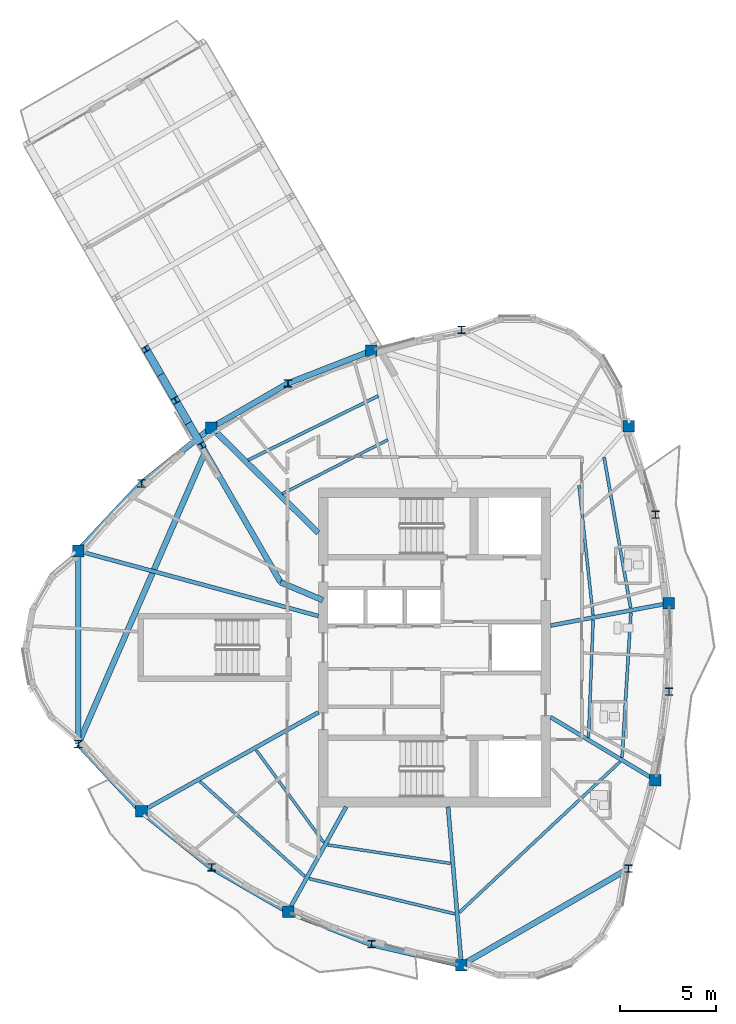
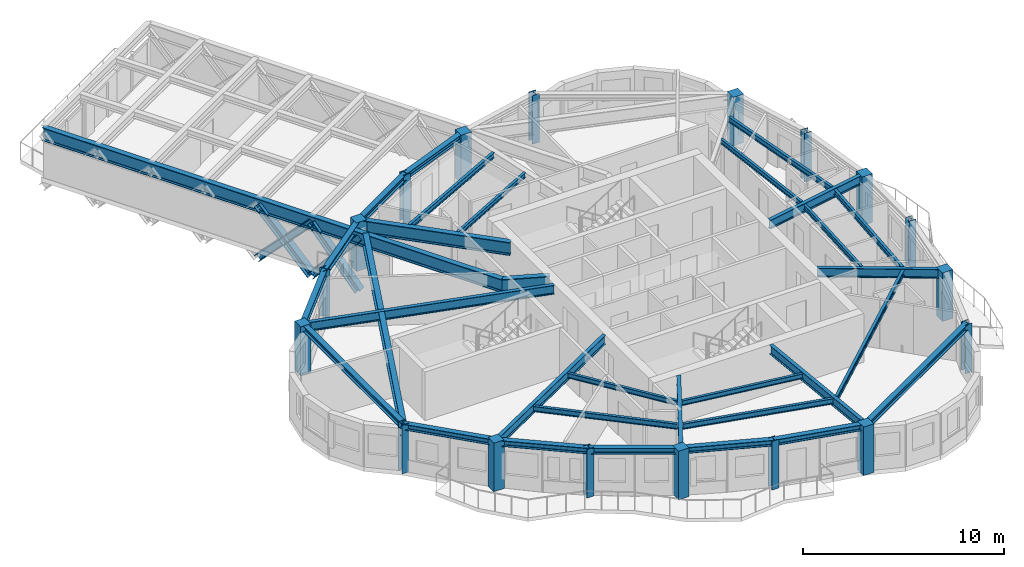
# One storey, part 1 of 14: 32 beams, 18 columns, 4 members.
"""IFC4 building model written with IfcOpenShell, lengths in metres."""

from ifc_helpers import new_model, si_unit, direction, frame, origin, origin_2d, place, context, subcontext, project, spatial, rectangle, i_section, extrude, source, transform, mapped, material, material_profile, profile_set, type_object, element, save


model = new_model("IFC4")

# Units and contexts
model_context = context("Model", 3, precision=1e-05, world=origin(), true_north=direction((0.0, 1.0)))
body_context = subcontext(model_context, "Body", "Model", "MODEL_VIEW")
ifc_project = project(units=[si_unit("LENGTHUNIT", "METRE"), si_unit("AREAUNIT", "SQUARE_METRE"), si_unit("VOLUMEUNIT", "CUBIC_METRE"), si_unit("PLANEANGLEUNIT", "RADIAN"), si_unit("MASSUNIT", "GRAM", prefix="KILO")], contexts=[model_context])

# Site, building, storey
site_placement = place(None, origin())
site = spatial("IfcSite", under=ifc_project, at=site_placement, CompositionType="ELEMENT")
building_placement = place(site_placement, origin())
building = spatial("IfcBuilding", under=site, at=building_placement, Name="Qafzar Sky-Pleat Residences", CompositionType="ELEMENT")
storey_placement = place(building_placement, frame((0.0, 0.0, 211.60009765625)))
storey = spatial("IfcBuildingStorey", under=building, at=storey_placement, Name="L63", CompositionType="ELEMENT", Elevation=211.60009765625)

# Columns
ifc_material_1 = material(Name="Concrete C50/60", Category="concrete")
ifc_material_profile_1 = material_profile(ifc_material_1, rectangle(XDim=0.60009765625, YDim=0.60009765625, at=origin_2d()), Name="RC 600x600")
ifc_profile_set_1 = profile_set([ifc_material_profile_1], Name="Concrete C50/60")
column_type_1 = type_object("IfcColumnType", Name="COL-RC-600", PredefinedType="COLUMN", material=ifc_profile_set_1)
shared_shape_1 = source(origin(), body_context, "Body", "SweptSolid", [
    extrude(rectangle(XDim=0.60009765625, YDim=0.60009765625, at=origin_2d()), origin(), (0.0, 0.0, 1.0), 2.9599609375),
])
for number, where, z_axis, x_axis, name in (
    (1, (11.794921875, 31.02294921875, 0.0), (0.0, 0.0, 1.0), (1.0, 0.0, 0.0), "L63 Perimeter Mega Column 1"),
    (2, (15.0859375, 17.458984375, 0.0), (0.0, 0.0, 1.0), (1.0, 0.0, 0.0), "L63 Perimeter Mega Column 3"),
    (3, (22.71875, 12.243408203125, 0.0), (0.0, 0.0, 1.0), (1.0, 0.0, 0.0), "L63 Perimeter Mega Column 5"),
    (4, (31.75244140625, 9.45458984375, 0.0), (0.0, 0.0, 1.0), (1.0, 0.0, 0.0), "L63 Perimeter Mega Column 7"),
    (5, (41.853515625, 19.08642578125, 0.0), (0.0, 0.0, 1.0), (1.0, 0.0, 0.0), "L63 Perimeter Mega Column 9"),
    (6, (42.55419921875, 28.304443359375, 0.0), (0.0, 0.0, 1.0), (1.0, 0.0, 0.0), "L63 Perimeter Mega Column 11"),
    (7, (40.452392578125, 37.5224609375, 0.0), (0.0, 0.0, 1.0), (1.0, 0.0, 0.0), "L63 Perimeter Mega Column 13"),
    (8, (27.060302734375, 41.454345703125, 0.0), (0.0, 0.0, 1.0), (1.0, 0.0, 0.0), "L63 Perimeter Mega Column 15"),
    (9, (18.727294921875, 37.4521484375, 0.0), (0.0, 0.0, 1.0), (1.0, 0.0, 0.0), "L63 Perimeter Mega Column 17"),
):
    element("IfcColumn", number, at=place(storey_placement, frame(where, z_axis=z_axis, x_axis=x_axis)), inside=storey, type_object=column_type_1, Name=name, PredefinedType="COLUMN", context=body_context, shape_type="MappedRepresentation", body=[
        mapped(shared_shape_1, transform((0.0, 0.0, 0.0), x_axis=(1.0, 0.0, 0.0), y_axis=(0.0, 1.0, 0.0), z_axis=(0.0, 0.0, 1.0), scale=1.0)),
    ])
ifc_material_2 = material(Name="Steel S355", Category="steel")
ifc_material_profile_2 = material_profile(ifc_material_2, i_section(OverallWidth=0.39794921875, OverallDepth=0.386962890625, WebThickness=0.01904296875, FlangeThickness=0.030029296875, FilletRadius=0.014892578125, at=origin_2d()), Name="HD 400x262")
ifc_profile_set_2 = profile_set([ifc_material_profile_2], Name="Steel S355")
column_type_2 = type_object("IfcColumnType", Name="COL-STL-HD262", PredefinedType="PILASTER", material=ifc_profile_set_2)
shared_shape_2 = source(origin(), body_context, "Body", "SweptSolid", [
    extrude(i_section(OverallWidth=0.39794921875, OverallDepth=0.386962890625, WebThickness=0.01904296875, FlangeThickness=0.030029296875, FilletRadius=0.014892578125, at=origin_2d()), origin(), (0.0, 0.0, 1.0), 2.9599609375),
])
for number, where, z_axis, x_axis, name in (
    (10, (11.794921875, 20.97705078125, 0.0), (0.0, 0.0, 1.0), (1.0, 0.0, 0.0), "L63 Perimeter Mega Column 2"),
    (11, (18.727294921875, 14.5478515625, 0.0), (0.0, 0.0, 1.0), (1.0, 0.0, 0.0), "L63 Perimeter Mega Column 4"),
    (12, (27.060302734375, 10.545654296875, 0.0), (0.0, 0.0, 1.0), (1.0, 0.0, 0.0), "L63 Perimeter Mega Column 6"),
    (13, (40.452392578125, 14.4775390625, 0.0), (0.0, 0.0, 1.0), (1.0, 0.0, 0.0), "L63 Perimeter Mega Column 8"),
    (14, (42.55419921875, 23.695556640625, 0.0), (0.0, 0.0, 1.0), (1.0, 0.0, 0.0), "L63 Perimeter Mega Column 10"),
    (15, (41.853515625, 32.91357421875, 0.0), (0.0, 0.0, 1.0), (1.0, 0.0, 0.0), "L63 Perimeter Mega Column 12"),
    (16, (31.75244140625, 42.54541015625, 0.0), (0.0, 0.0, 1.0), (1.0, 0.0, 0.0), "L63 Perimeter Mega Column 14"),
    (17, (22.71875, 39.756591796875, 0.0), (0.0, 0.0, 1.0), (1.0, 0.0, 0.0), "L63 Perimeter Mega Column 16"),
    (18, (15.0859375, 34.541015625, 0.0), (0.0, 0.0, 1.0), (1.0, 0.0, 0.0), "L63 Perimeter Mega Column 18"),
):
    element("IfcColumn", number, at=place(storey_placement, frame(where, z_axis=z_axis, x_axis=x_axis)), inside=storey, type_object=column_type_2, Name=name, PredefinedType="PILASTER", context=body_context, shape_type="MappedRepresentation", body=[
        mapped(shared_shape_2, transform((0.0, 0.0, 0.0), x_axis=(1.0, 0.0, 0.0), y_axis=(0.0, 1.0, 0.0), z_axis=(0.0, 0.0, 1.0), scale=1.0)),
    ])

# Beams
ifc_material_profile_3 = material_profile(ifc_material_2, i_section(OverallWidth=0.300048828125, OverallDepth=0.360107421875, WebThickness=0.012451171875, FlangeThickness=0.0224609375, FilletRadius=0.027099609375, at=origin_2d()), Name="HEB 360")
ifc_profile_set_3 = profile_set([ifc_material_profile_3], Name="Steel S355")
beam_type_1 = type_object("IfcBeamType", Name="BM-SPAN-HEB360", PredefinedType="SPANDREL", material=ifc_profile_set_3)
shared_shape_3 = source(origin(), body_context, "Body", "SweptSolid", [
    extrude(i_section(OverallWidth=0.300048828125, OverallDepth=0.360107421875, WebThickness=0.012451171875, FlangeThickness=0.0224609375, FilletRadius=0.027099609375, at=origin_2d()), origin(), (0.0, 0.0, 1.0), 10.0458984375),
])
for number, where, z_axis, x_axis, name in (
    (19, (11.794921875, 31.02294921875, 2.77783203125), (0.0, -1.0, 0.0), (1.0, 0.0, 0.0), "L63 Perimeter Spandrel Beam 1"),
    (20, (31.75244140625, 9.45458984375, 2.77783203125), (0.866024107753, 0.500002244785, 0.0), (-0.500002244785, 0.866024107753, 0.0), "L63 Perimeter Spandrel Beam 7"),
):
    element("IfcBeam", number, at=place(storey_placement, frame(where, z_axis=z_axis, x_axis=x_axis)), inside=storey, type_object=beam_type_1, Name=name, PredefinedType="SPANDREL", context=body_context, shape_type="MappedRepresentation", body=[
        mapped(shared_shape_3, transform((0.0, 0.0, 0.0), x_axis=(1.0, 0.0, 0.0), y_axis=(0.0, 1.0, 0.0), z_axis=(0.0, 0.0, 1.0), scale=1.0)),
    ])
shared_shape_4 = source(origin(), body_context, "Body", "SweptSolid", [
    extrude(i_section(OverallWidth=0.300048828125, OverallDepth=0.360107421875, WebThickness=0.012451171875, FlangeThickness=0.0224609375, FilletRadius=0.027099609375, at=origin_2d()), origin(), (0.0, 0.0, 1.0), 4.8173828125),
])
for number, where, z_axis, x_axis, name in (
    (21, (11.794921875, 20.97705078125, 2.77783203125), (0.683148410422, -0.730279569301, 0.0), (0.730279569301, 0.683148410422, 0.0), "L63 Perimeter Spandrel Beam 2"),
    (22, (27.060302734375, 10.545654296875, 2.77783203125), (0.974014007378, -0.226487777666, 0.0), (0.226487777666, 0.974014007378, 0.0), "L63 Perimeter Spandrel Beam 6"),
    (23, (15.0859375, 34.541015625, 2.77783203125), (-0.683148410422, -0.730279569301, 0.0), (0.730279569301, -0.683148410422, 0.0), "L63 Perimeter Spandrel Beam 18"),
):
    element("IfcBeam", number, at=place(storey_placement, frame(where, z_axis=z_axis, x_axis=x_axis)), inside=storey, type_object=beam_type_1, Name=name, PredefinedType="SPANDREL", context=body_context, shape_type="MappedRepresentation", body=[
        mapped(shared_shape_4, transform((0.0, 0.0, 0.0), x_axis=(1.0, 0.0, 0.0), y_axis=(0.0, 1.0, 0.0), z_axis=(0.0, 0.0, 1.0), scale=1.0)),
    ])
shared_shape_5 = source(origin(), body_context, "Body", "SweptSolid", [
    extrude(i_section(OverallWidth=0.300048828125, OverallDepth=0.360107421875, WebThickness=0.012451171875, FlangeThickness=0.0224609375, FilletRadius=0.027099609375, at=origin_2d()), origin(), (0.0, 0.0, 1.0), 4.662109375),
])
for number, where, z_axis, x_axis, name in (
    (24, (15.0859375, 17.458984375, 2.77783203125), (0.781073131739, -0.624439559025, 0.0), (0.624439559025, 0.781073131739, 0.0), "L63 Perimeter Spandrel Beam 3"),
    (25, (18.727294921875, 37.4521484375, 2.77783203125), (-0.781073131739, -0.624439559025, 0.0), (0.624439559025, -0.781073131739, 0.0), "L63 Perimeter Spandrel Beam 17"),
):
    element("IfcBeam", number, at=place(storey_placement, frame(where, z_axis=z_axis, x_axis=x_axis)), inside=storey, type_object=beam_type_1, Name=name, PredefinedType="SPANDREL", context=body_context, shape_type="MappedRepresentation", body=[
        mapped(shared_shape_5, transform((0.0, 0.0, 0.0), x_axis=(1.0, 0.0, 0.0), y_axis=(0.0, 1.0, 0.0), z_axis=(0.0, 0.0, 1.0), scale=1.0)),
    ])
shared_shape_6 = source(origin(), body_context, "Body", "SweptSolid", [
    extrude(i_section(OverallWidth=0.300048828125, OverallDepth=0.360107421875, WebThickness=0.012451171875, FlangeThickness=0.0224609375, FilletRadius=0.027099609375, at=origin_2d()), origin(), (0.0, 0.0, 1.0), 4.60888671875),
])
for number, where, z_axis, x_axis, name in (
    (26, (18.727294921875, 14.5478515625, 2.77783203125), (0.8660276872, -0.499996044987, 0.0), (0.499996044987, 0.8660276872, 0.0), "L63 Perimeter Spandrel Beam 4"),
    (27, (22.71875, 39.756591796875, 2.77783203125), (-0.8660276872, -0.499996044987, 0.0), (0.499996044987, -0.8660276872, 0.0), "L63 Perimeter Spandrel Beam 16"),
):
    element("IfcBeam", number, at=place(storey_placement, frame(where, z_axis=z_axis, x_axis=x_axis)), inside=storey, type_object=beam_type_1, Name=name, PredefinedType="SPANDREL", context=body_context, shape_type="MappedRepresentation", body=[
        mapped(shared_shape_6, transform((0.0, 0.0, 0.0), x_axis=(1.0, 0.0, 0.0), y_axis=(0.0, 1.0, 0.0), z_axis=(0.0, 0.0, 1.0), scale=1.0)),
    ])
shared_shape_7 = source(origin(), body_context, "Body", "SweptSolid", [
    extrude(i_section(OverallWidth=0.300048828125, OverallDepth=0.360107421875, WebThickness=0.012451171875, FlangeThickness=0.0224609375, FilletRadius=0.027099609375, at=origin_2d()), origin(), (0.0, 0.0, 1.0), 4.66162109375),
])
for number, where, z_axis, x_axis, name in (
    (28, (22.71875, 12.243408203125, 2.77783203125), (0.931323889652, -0.364191999586, 0.0), (0.364191999586, 0.931323889652, 0.0), "L63 Perimeter Spandrel Beam 5"),
    (29, (27.060302734375, 41.454345703125, 2.77783203125), (-0.931323889652, -0.364191999586, 0.0), (0.364191999586, -0.931323889652, 0.0), "L63 Perimeter Spandrel Beam 15"),
):
    element("IfcBeam", number, at=place(storey_placement, frame(where, z_axis=z_axis, x_axis=x_axis)), inside=storey, type_object=beam_type_1, Name=name, PredefinedType="SPANDREL", context=body_context, shape_type="MappedRepresentation", body=[
        mapped(shared_shape_7, transform((0.0, 0.0, 0.0), x_axis=(1.0, 0.0, 0.0), y_axis=(0.0, 1.0, 0.0), z_axis=(0.0, 0.0, 1.0), scale=1.0)),
    ])
ifc_material_profile_4 = material_profile(ifc_material_2, i_section(OverallWidth=0.2099609375, OverallDepth=0.550048828125, WebThickness=0.010986328125, FlangeThickness=0.01708984375, FilletRadius=0.02392578125, at=origin_2d()), Name="IPE 550")
ifc_profile_set_4 = profile_set([ifc_material_profile_4], Name="Steel S355")
beam_type_2 = type_object("IfcBeamType", Name="BM-SEC-IPE550", PredefinedType="BEAM", material=ifc_profile_set_4)
shared_shape_8 = source(origin(), body_context, "Body", "SweptSolid", [
    extrude(i_section(OverallWidth=0.2099609375, OverallDepth=0.550048828125, WebThickness=0.010986328125, FlangeThickness=0.01708984375, FilletRadius=0.02392578125, at=origin_2d()), origin(), (0.0, 0.0, 1.0), 12.955322265625),
])
beam_1_placement = place(storey_placement, frame((11.794921875, 31.02294921875, 2.682861328125), z_axis=(0.96525657986, -0.261303913167, 0.0), x_axis=(0.261303913167, 0.96525657986, 0.0)))
element("IfcBeam", 30, at=beam_1_placement, inside=storey, type_object=beam_type_2, Name="L63 Radial Floor Girder 1", PredefinedType="BEAM", context=body_context, shape_type="MappedRepresentation", body=[
    mapped(shared_shape_8, transform((0.0, 0.0, 0.0), x_axis=(1.0, 0.0, 0.0), y_axis=(0.0, 1.0, 0.0), z_axis=(0.0, 0.0, 1.0), scale=1.0)),
])
shared_shape_9 = source(origin(), body_context, "Body", "SweptSolid", [
    extrude(i_section(OverallWidth=0.2099609375, OverallDepth=0.550048828125, WebThickness=0.010986328125, FlangeThickness=0.01708984375, FilletRadius=0.02392578125, at=origin_2d()), origin(), (0.0, 0.0, 1.0), 10.55859375),
])
beam_2_placement = place(storey_placement, frame((15.0859375, 17.458984375, 2.682861328125), z_axis=(0.872673146655, 0.488304801438, 0.0), x_axis=(-0.488304801438, 0.872673146655, 0.0)))
element("IfcBeam", 31, at=beam_2_placement, inside=storey, type_object=beam_type_2, Name="L63 Radial Floor Girder 3", PredefinedType="BEAM", context=body_context, shape_type="MappedRepresentation", body=[
    mapped(shared_shape_9, transform((0.0, 0.0, 0.0), x_axis=(1.0, 0.0, 0.0), y_axis=(0.0, 1.0, 0.0), z_axis=(0.0, 0.0, 1.0), scale=1.0)),
])
shared_shape_10 = source(origin(), body_context, "Body", "SweptSolid", [
    extrude(i_section(OverallWidth=0.2099609375, OverallDepth=0.550048828125, WebThickness=0.010986328125, FlangeThickness=0.01708984375, FilletRadius=0.02392578125, at=origin_2d()), origin(), (0.0, 0.0, 1.0), 6.23974609375),
])
beam_3_placement = place(storey_placement, frame((22.71875, 12.243408203125, 2.682861328125), z_axis=(0.48508473236, 0.874467153432, 0.0), x_axis=(-0.874467153432, 0.48508473236, 0.0)))
element("IfcBeam", 32, at=beam_3_placement, inside=storey, type_object=beam_type_2, Name="L63 Radial Floor Girder 5", PredefinedType="BEAM", context=body_context, shape_type="MappedRepresentation", body=[
    mapped(shared_shape_10, transform((0.0, 0.0, 0.0), x_axis=(1.0, 0.0, 0.0), y_axis=(0.0, 1.0, 0.0), z_axis=(0.0, 0.0, 1.0), scale=1.0)),
])
shared_shape_11 = source(origin(), body_context, "Body", "SweptSolid", [
    extrude(i_section(OverallWidth=0.2099609375, OverallDepth=0.550048828125, WebThickness=0.010986328125, FlangeThickness=0.01708984375, FilletRadius=0.02392578125, at=origin_2d()), origin(), (0.0, 0.0, 1.0), 8.27490234375),
])
beam_4_placement = place(storey_placement, frame((31.75244140625, 9.45458984375, 2.682861328125), z_axis=(-0.084439601207, 0.996428599423, 0.0), x_axis=(-0.996428599423, -0.084439601207, 0.0)))
element("IfcBeam", 33, at=beam_4_placement, inside=storey, type_object=beam_type_2, Name="L63 Radial Floor Girder 7", PredefinedType="BEAM", context=body_context, shape_type="MappedRepresentation", body=[
    mapped(shared_shape_11, transform((0.0, 0.0, 0.0), x_axis=(1.0, 0.0, 0.0), y_axis=(0.0, 1.0, 0.0), z_axis=(0.0, 0.0, 1.0), scale=1.0)),
])
shared_shape_12 = source(origin(), body_context, "Body", "SweptSolid", [
    extrude(i_section(OverallWidth=0.2099609375, OverallDepth=0.550048828125, WebThickness=0.010986328125, FlangeThickness=0.01708984375, FilletRadius=0.02392578125, at=origin_2d()), origin(), (0.0, 0.0, 1.0), 6.36279296875),
])
beam_5_placement = place(storey_placement, frame((41.853515625, 19.08642578125, 2.682861328125), z_axis=(-0.857116893235, 0.515121957726, 0.0), x_axis=(-0.515121957726, -0.857116893235, 0.0)))
element("IfcBeam", 34, at=beam_5_placement, inside=storey, type_object=beam_type_2, Name="L63 Radial Floor Girder 9", PredefinedType="BEAM", context=body_context, shape_type="MappedRepresentation", body=[
    mapped(shared_shape_12, transform((0.0, 0.0, 0.0), x_axis=(1.0, 0.0, 0.0), y_axis=(0.0, 1.0, 0.0), z_axis=(0.0, 0.0, 1.0), scale=1.0)),
])
shared_shape_13 = source(origin(), body_context, "Body", "SweptSolid", [
    extrude(i_section(OverallWidth=0.2099609375, OverallDepth=0.550048828125, WebThickness=0.010986328125, FlangeThickness=0.01708984375, FilletRadius=0.02392578125, at=origin_2d()), origin(), (0.0, 0.0, 1.0), 6.262939453125),
])
beam_6_placement = place(storey_placement, frame((42.55419921875, 28.304443359375, 2.682861328125), z_axis=(-0.982634843159, -0.185549898978, 0.0), x_axis=(0.185549898978, -0.982634843159, 0.0)))
element("IfcBeam", 35, at=beam_6_placement, inside=storey, type_object=beam_type_2, Name="L63 Radial Floor Girder 11", PredefinedType="BEAM", context=body_context, shape_type="MappedRepresentation", body=[
    mapped(shared_shape_13, transform((0.0, 0.0, 0.0), x_axis=(1.0, 0.0, 0.0), y_axis=(0.0, 1.0, 0.0), z_axis=(0.0, 0.0, 1.0), scale=1.0)),
])
ifc_material_3 = material(Name="Steel S460", Category="steel")
ifc_material_profile_5 = material_profile(ifc_material_3, i_section(OverallWidth=0.300048828125, OverallDepth=0.800048828125, WebThickness=0.017578125, FlangeThickness=0.032958984375, FilletRadius=0.030029296875, at=origin_2d()), Name="HEB 800")
ifc_profile_set_5 = profile_set([ifc_material_profile_5], Name="Steel S460")
beam_type_3 = type_object("IfcBeamType", Name="BM-CHORD-HEB800", PredefinedType="BEAM", material=ifc_profile_set_5)
shared_shape_14 = source(origin(), body_context, "Body", "SweptSolid", [
    extrude(i_section(OverallWidth=0.300048828125, OverallDepth=0.800048828125, WebThickness=0.017578125, FlangeThickness=0.032958984375, FilletRadius=0.030029296875, at=origin_2d()), origin(), (0.0, 0.0, 1.0), 7.823486328125),
])
beam_7_placement = place(storey_placement, frame((18.727294921875, 37.4521484375, 2.557861328125), z_axis=(0.71231451295, -0.701860409654, 0.0), x_axis=(0.701860409654, 0.71231451295, 0.0)))
element("IfcBeam", 36, at=beam_7_placement, inside=storey, type_object=beam_type_3, Name="L63 Radial Floor Girder 17", PredefinedType="BEAM", context=body_context, shape_type="MappedRepresentation", body=[
    mapped(shared_shape_14, transform((0.0, 0.0, 0.0), x_axis=(1.0, 0.0, 0.0), y_axis=(0.0, 1.0, 0.0), z_axis=(0.0, 0.0, 1.0), scale=1.0)),
])
ifc_material_profile_6 = material_profile(ifc_material_2, i_section(OverallWidth=0.159912109375, OverallDepth=0.330078125, WebThickness=0.007568359375, FlangeThickness=0.011474609375, FilletRadius=0.01806640625, at=origin_2d()), Name="IPE 330")
ifc_profile_set_6 = profile_set([ifc_material_profile_6], Name="Steel S355")
beam_type_4 = type_object("IfcBeamType", Name="BM-JST-IPE330", PredefinedType="JOIST", material=ifc_profile_set_6)
shared_shape_15 = source(origin(), body_context, "Body", "SweptSolid", [
    extrude(i_section(OverallWidth=0.159912109375, OverallDepth=0.330078125, WebThickness=0.007568359375, FlangeThickness=0.011474609375, FilletRadius=0.01806640625, at=origin_2d()), origin(), (0.0, 0.0, 1.0), 7.356689453125),
])
beam_8_placement = place(storey_placement, frame((18.134521484375, 19.018310546875, 2.79296875), z_axis=(0.741219639236, -0.671262576352, 0.0), x_axis=(0.671262576352, 0.741219639236, 0.0)))
element("IfcBeam", 37, at=beam_8_placement, inside=storey, type_object=beam_type_4, Name="L63 Outer Secondary Floor Joist 2", PredefinedType="JOIST", context=body_context, shape_type="MappedRepresentation", body=[
    mapped(shared_shape_15, transform((0.0, 0.0, 0.0), x_axis=(1.0, 0.0, 0.0), y_axis=(0.0, 1.0, 0.0), z_axis=(0.0, 0.0, 1.0), scale=1.0)),
])
shared_shape_16 = source(origin(), body_context, "Body", "SweptSolid", [
    extrude(i_section(OverallWidth=0.159912109375, OverallDepth=0.330078125, WebThickness=0.007568359375, FlangeThickness=0.011474609375, FilletRadius=0.01806640625, at=origin_2d()), origin(), (0.0, 0.0, 1.0), 7.797607421875),
])
beam_9_placement = place(storey_placement, frame((23.818603515625, 13.957763671875, 2.79296875), z_axis=(0.971984853244, -0.235043496112, 0.0), x_axis=(0.235043496112, 0.971984853244, 0.0)))
element("IfcBeam", 38, at=beam_9_placement, inside=storey, type_object=beam_type_4, Name="L63 Outer Secondary Floor Joist 3", PredefinedType="JOIST", context=body_context, shape_type="MappedRepresentation", body=[
    mapped(shared_shape_16, transform((0.0, 0.0, 0.0), x_axis=(1.0, 0.0, 0.0), y_axis=(0.0, 1.0, 0.0), z_axis=(0.0, 0.0, 1.0), scale=1.0)),
])
shared_shape_17 = source(origin(), body_context, "Body", "SweptSolid", [
    extrude(i_section(OverallWidth=0.159912109375, OverallDepth=0.330078125, WebThickness=0.007568359375, FlangeThickness=0.011474609375, FilletRadius=0.01806640625, at=origin_2d()), origin(), (0.0, 0.0, 1.0), 11.489501953125),
])
beam_10_placement = place(storey_placement, frame((31.627197265625, 12.185546875, 2.79296875), z_axis=(0.729600815032, 0.683873270939, 0.0), x_axis=(-0.683873270939, 0.729600815032, 0.0)))
element("IfcBeam", 39, at=beam_10_placement, inside=storey, type_object=beam_type_4, Name="L63 Outer Secondary Floor Joist 4", PredefinedType="JOIST", context=body_context, shape_type="MappedRepresentation", body=[
    mapped(shared_shape_17, transform((0.0, 0.0, 0.0), x_axis=(1.0, 0.0, 0.0), y_axis=(0.0, 1.0, 0.0), z_axis=(0.0, 0.0, 1.0), scale=1.0)),
])
shared_shape_18 = source(origin(), body_context, "Body", "SweptSolid", [
    extrude(i_section(OverallWidth=0.159912109375, OverallDepth=0.330078125, WebThickness=0.007568359375, FlangeThickness=0.011474609375, FilletRadius=0.01806640625, at=origin_2d()), origin(), (0.0, 0.0, 1.0), 7.5419921875),
])
beam_11_placement = place(storey_placement, frame((40.11669921875, 20.27001953125, 2.79296875), z_axis=(0.060987642663, 0.998138521169, 0.0), x_axis=(-0.998138521169, 0.060987642663, 0.0)))
element("IfcBeam", 40, at=beam_11_placement, inside=storey, type_object=beam_type_4, Name="L63 Outer Secondary Floor Joist 5", PredefinedType="JOIST", context=body_context, shape_type="MappedRepresentation", body=[
    mapped(shared_shape_18, transform((0.0, 0.0, 0.0), x_axis=(1.0, 0.0, 0.0), y_axis=(0.0, 1.0, 0.0), z_axis=(0.0, 0.0, 1.0), scale=1.0)),
])
shared_shape_19 = source(origin(), body_context, "Body", "SweptSolid", [
    extrude(i_section(OverallWidth=0.159912109375, OverallDepth=0.330078125, WebThickness=0.007568359375, FlangeThickness=0.011474609375, FilletRadius=0.01806640625, at=origin_2d()), origin(), (0.0, 0.0, 1.0), 7.965576171875),
])
beam_12_placement = place(storey_placement, frame((40.561279296875, 28.065673828125, 2.79296875), z_axis=(-0.173507320817, 0.984832579489, 0.0), x_axis=(-0.984832579489, -0.173507320817, 0.0)))
element("IfcBeam", 41, at=beam_12_placement, inside=storey, type_object=beam_type_4, Name="L63 Outer Secondary Floor Joist 6", PredefinedType="JOIST", context=body_context, shape_type="MappedRepresentation", body=[
    mapped(shared_shape_19, transform((0.0, 0.0, 0.0), x_axis=(1.0, 0.0, 0.0), y_axis=(0.0, 1.0, 0.0), z_axis=(0.0, 0.0, 1.0), scale=1.0)),
])
shared_shape_20 = source(origin(), body_context, "Body", "SweptSolid", [
    extrude(i_section(OverallWidth=0.159912109375, OverallDepth=0.330078125, WebThickness=0.007568359375, FlangeThickness=0.011474609375, FilletRadius=0.01806640625, at=origin_2d()), origin(), (0.0, 0.0, 1.0), 7.576171875),
])
beam_13_placement = place(storey_placement, frame((27.426513671875, 39.105224609375, 2.79296875), z_axis=(-0.896888380861, -0.442256975386, 0.0), x_axis=(0.442256975386, -0.896888380861, 0.0)))
element("IfcBeam", 42, at=beam_13_placement, inside=storey, type_object=beam_type_4, Name="L63 Outer Secondary Floor Joist 8", PredefinedType="JOIST", context=body_context, shape_type="MappedRepresentation", body=[
    mapped(shared_shape_20, transform((0.0, 0.0, 0.0), x_axis=(1.0, 0.0, 0.0), y_axis=(0.0, 1.0, 0.0), z_axis=(0.0, 0.0, 1.0), scale=1.0)),
])
ifc_material_profile_7 = material_profile(ifc_material_2, i_section(OverallWidth=0.14990234375, OverallDepth=0.300048828125, WebThickness=0.007080078125, FlangeThickness=0.0107421875, FilletRadius=0.014892578125, at=origin_2d()), Name="IPE 300")
ifc_profile_set_7 = profile_set([ifc_material_profile_7], Name="Steel S355")
beam_type_5 = type_object("IfcBeamType", Name="BM-JST-IPE300", PredefinedType="JOIST", material=ifc_profile_set_7)
shared_shape_21 = source(origin(), body_context, "Body", "SweptSolid", [
    extrude(i_section(OverallWidth=0.14990234375, OverallDepth=0.300048828125, WebThickness=0.007080078125, FlangeThickness=0.0107421875, FilletRadius=0.014892578125, at=origin_2d()), origin(), (0.0, 0.0, 1.0), 5.953125),
])
beam_14_placement = place(storey_placement, frame((21.0625, 20.64990234375, 2.807861328125), z_axis=(0.590264364732, -0.807209997292, 0.0), x_axis=(0.807209997292, 0.590264364732, 0.0)))
element("IfcBeam", 43, at=beam_14_placement, inside=storey, type_object=beam_type_5, Name="L63 Inner Secondary Floor Joist 2", PredefinedType="JOIST", context=body_context, shape_type="MappedRepresentation", body=[
    mapped(shared_shape_21, transform((0.0, 0.0, 0.0), x_axis=(1.0, 0.0, 0.0), y_axis=(0.0, 1.0, 0.0), z_axis=(0.0, 0.0, 1.0), scale=1.0)),
])
shared_shape_22 = source(origin(), body_context, "Body", "SweptSolid", [
    extrude(i_section(OverallWidth=0.14990234375, OverallDepth=0.300048828125, WebThickness=0.007080078125, FlangeThickness=0.0107421875, FilletRadius=0.014892578125, at=origin_2d()), origin(), (0.0, 0.0, 1.0), 6.454345703125),
])
beam_15_placement = place(storey_placement, frame((24.78955078125, 15.715576171875, 2.807861328125), z_axis=(0.988786865578, -0.149333634723, 0.0), x_axis=(0.149333634723, 0.988786865578, 0.0)))
element("IfcBeam", 44, at=beam_15_placement, inside=storey, type_object=beam_type_5, Name="L63 Inner Secondary Floor Joist 3", PredefinedType="JOIST", context=body_context, shape_type="MappedRepresentation", body=[
    mapped(shared_shape_22, transform((0.0, 0.0, 0.0), x_axis=(1.0, 0.0, 0.0), y_axis=(0.0, 1.0, 0.0), z_axis=(0.0, 0.0, 1.0), scale=1.0)),
])
shared_shape_23 = source(origin(), body_context, "Body", "SweptSolid", [
    extrude(i_section(OverallWidth=0.14990234375, OverallDepth=0.300048828125, WebThickness=0.007080078125, FlangeThickness=0.0107421875, FilletRadius=0.014892578125, at=origin_2d()), origin(), (0.0, 0.0, 1.0), 6.111572265625),
])
beam_16_placement = place(storey_placement, frame((38.36865234375, 21.319091796875, 2.807861328125), z_axis=(0.039508568351, 0.999219231714, 0.0), x_axis=(-0.999219231714, 0.039508568351, 0.0)))
element("IfcBeam", 45, at=beam_16_placement, inside=storey, type_object=beam_type_5, Name="L63 Inner Secondary Floor Joist 5", PredefinedType="JOIST", context=body_context, shape_type="MappedRepresentation", body=[
    mapped(shared_shape_23, transform((0.0, 0.0, 0.0), x_axis=(1.0, 0.0, 0.0), y_axis=(0.0, 1.0, 0.0), z_axis=(0.0, 0.0, 1.0), scale=1.0)),
])
shared_shape_24 = source(origin(), body_context, "Body", "SweptSolid", [
    extrude(i_section(OverallWidth=0.14990234375, OverallDepth=0.300048828125, WebThickness=0.007080078125, FlangeThickness=0.0107421875, FilletRadius=0.014892578125, at=origin_2d()), origin(), (0.0, 0.0, 1.0), 6.7744140625),
])
beam_17_placement = place(storey_placement, frame((38.60107421875, 27.695068359375, 2.807861328125), z_axis=(-0.107432741117, 0.994212354649, 0.0), x_axis=(-0.994212354649, -0.107432741117, 0.0)))
element("IfcBeam", 46, at=beam_17_placement, inside=storey, type_object=beam_type_5, Name="L63 Inner Secondary Floor Joist 6", PredefinedType="JOIST", context=body_context, shape_type="MappedRepresentation", body=[
    mapped(shared_shape_24, transform((0.0, 0.0, 0.0), x_axis=(1.0, 0.0, 0.0), y_axis=(0.0, 1.0, 0.0), z_axis=(0.0, 0.0, 1.0), scale=1.0)),
])
shared_shape_25 = source(origin(), body_context, "Body", "SweptSolid", [
    extrude(i_section(OverallWidth=0.14990234375, OverallDepth=0.300048828125, WebThickness=0.007080078125, FlangeThickness=0.0107421875, FilletRadius=0.014892578125, at=origin_2d()), origin(), (0.0, 0.0, 1.0), 6.178955078125),
])
beam_18_placement = place(storey_placement, frame((27.914794921875, 36.814208984375, 2.807861328125), z_axis=(-0.890223943617, -0.455523139051, 0.0), x_axis=(0.455523139051, -0.890223943617, 0.0)))
element("IfcBeam", 47, at=beam_18_placement, inside=storey, type_object=beam_type_5, Name="L63 Inner Secondary Floor Joist 8", PredefinedType="JOIST", context=body_context, shape_type="MappedRepresentation", body=[
    mapped(shared_shape_25, transform((0.0, 0.0, 0.0), x_axis=(1.0, 0.0, 0.0), y_axis=(0.0, 1.0, 0.0), z_axis=(0.0, 0.0, 1.0), scale=1.0)),
])
shared_shape_26 = source(origin(), body_context, "Body", "SweptSolid", [
    extrude(i_section(OverallWidth=0.300048828125, OverallDepth=0.800048828125, WebThickness=0.017578125, FlangeThickness=0.032958984375, FilletRadius=0.030029296875, at=origin_2d()), origin(), (0.0, 0.0, 1.0), 2.385009765625),
])
beam_19_placement = place(storey_placement, frame((22.328369140625, 29.393798828125, 2.555908203125), z_axis=(0.920982791403, -0.389603257095, 0.0), x_axis=(0.389603257095, 0.920982791403, 0.0)))
element("IfcBeam", 48, at=beam_19_placement, inside=storey, type_object=beam_type_3, Name="L63 SB-5 Core Back-Span Tie Girder L", PredefinedType="BEAM", context=body_context, shape_type="MappedRepresentation", body=[
    mapped(shared_shape_26, transform((0.0, 0.0, 0.0), x_axis=(1.0, 0.0, 0.0), y_axis=(0.0, 1.0, 0.0), z_axis=(0.0, 0.0, 1.0), scale=1.0)),
])
shared_shape_27 = source(origin(), body_context, "Body", "SweptSolid", [
    extrude(i_section(OverallWidth=0.300048828125, OverallDepth=0.800048828125, WebThickness=0.017578125, FlangeThickness=0.032958984375, FilletRadius=0.030029296875, at=origin_2d()), origin(), (0.0, 0.0, 1.0), 26.399169921875),
])
beam_20_placement = place(storey_placement, frame((22.328369140625, 29.393798828125, 2.557861328125), z_axis=(-0.49999730459, 0.866026959975, 0.0), x_axis=(-0.866026959975, -0.49999730459, 0.0)))
element("IfcBeam", 49, at=beam_20_placement, inside=storey, type_object=beam_type_3, Name="L63 SB-5 Truss Chord L1", PredefinedType="BEAM", context=body_context, shape_type="MappedRepresentation", body=[
    mapped(shared_shape_27, transform((0.0, 0.0, 0.0), x_axis=(1.0, 0.0, 0.0), y_axis=(0.0, 1.0, 0.0), z_axis=(0.0, 0.0, 1.0), scale=1.0)),
])
shared_shape_28 = source(origin(), body_context, "Body", "SweptSolid", [
    extrude(i_section(OverallWidth=0.300048828125, OverallDepth=0.800048828125, WebThickness=0.017578125, FlangeThickness=0.032958984375, FilletRadius=0.030029296875, at=origin_2d()), origin(), (0.0, 0.0, 1.0), 16.588134765625),
])
beam_21_placement = place(storey_placement, frame((11.794921875, 20.97705078125, 2.557861328125), z_axis=(0.398378427064, 0.917221145008, 0.0), x_axis=(-0.917221145008, 0.398378427064, 0.0)))
element("IfcBeam", 50, at=beam_21_placement, inside=storey, type_object=beam_type_3, Name="L63 SB-5 Wing-Belt Top Chord L", PredefinedType="BEAM", context=body_context, shape_type="MappedRepresentation", body=[
    mapped(shared_shape_28, transform((0.0, 0.0, 0.0), x_axis=(1.0, 0.0, 0.0), y_axis=(0.0, 1.0, 0.0), z_axis=(0.0, 0.0, 1.0), scale=1.0)),
])

# Members
ifc_material_profile_8 = material_profile(ifc_material_3, i_section(OverallWidth=0.40087890625, OverallDepth=0.39892578125, WebThickness=0.02294921875, FlangeThickness=0.035888671875, FilletRadius=0.014892578125, at=origin_2d()), Name="HD 400x314")
ifc_profile_set_8 = profile_set([ifc_material_profile_8], Name="Steel S460")
member_type = type_object("IfcMemberType", Name="MEM-SB-DIAG", PredefinedType="BRACE", material=ifc_profile_set_8)
shared_shape_29 = source(origin(), body_context, "Body", "SweptSolid", [
    extrude(i_section(OverallWidth=0.40087890625, OverallDepth=0.39892578125, WebThickness=0.02294921875, FlangeThickness=0.035888671875, FilletRadius=0.014892578125, at=origin_2d()), origin(), (0.0, 0.0, 1.0), 4.22607421875),
])
for number, where, z_axis, x_axis, name in (
    (51, (18.223388671875, 36.50390625, -0.6669921875), (-0.323159793963, 0.559723854792, 0.763070739803), (-0.866023343127, -0.500003569146, 0.0), "L63 SB-5 Truss Web Diagonal L1A"),
    (52, (18.223388671875, 36.50390625, 2.557861328125), (-0.323159793963, 0.559723854792, -0.763070739803), (-0.866023343127, -0.500003569146, 0.0), "L63 SB-5 Truss Web Diagonal L1B"),
):
    element("IfcMember", number, at=place(storey_placement, frame(where, z_axis=z_axis, x_axis=x_axis)), inside=storey, type_object=member_type, Name=name, PredefinedType="BRACE", context=body_context, shape_type="MappedRepresentation", body=[
        mapped(shared_shape_29, transform((0.0, 0.0, 0.0), x_axis=(1.0, 0.0, 0.0), y_axis=(0.0, 1.0, 0.0), z_axis=(0.0, 0.0, 1.0), scale=1.0)),
    ])
shared_shape_30 = source(origin(), body_context, "Body", "SweptSolid", [
    extrude(i_section(OverallWidth=0.40087890625, OverallDepth=0.39892578125, WebThickness=0.02294921875, FlangeThickness=0.035888671875, FilletRadius=0.014892578125, at=origin_2d()), origin(), (0.0, 0.0, 1.0), 4.46728515625),
])
for number, where, z_axis, x_axis, name in (
    (53, (16.857666015625, 38.869384765625, -0.6669921875), (-0.345985042016, 0.599339433864, 0.721863279102), (-0.866052771896, -0.499952594044, 0.0), "L63 SB-5 Truss Web Diagonal L2A"),
    (54, (16.857666015625, 38.869384765625, 2.557861328125), (-0.345985042016, 0.599339433864, -0.721863279102), (-0.866052771896, -0.499952594044, 0.0), "L63 SB-5 Truss Web Diagonal L2B"),
):
    element("IfcMember", number, at=place(storey_placement, frame(where, z_axis=z_axis, x_axis=x_axis)), inside=storey, type_object=member_type, Name=name, PredefinedType="BRACE", context=body_context, shape_type="MappedRepresentation", body=[
        mapped(shared_shape_30, transform((0.0, 0.0, 0.0), x_axis=(1.0, 0.0, 0.0), y_axis=(0.0, 1.0, 0.0), z_axis=(0.0, 0.0, 1.0), scale=1.0)),
    ])

save(model, "model.ifc")
